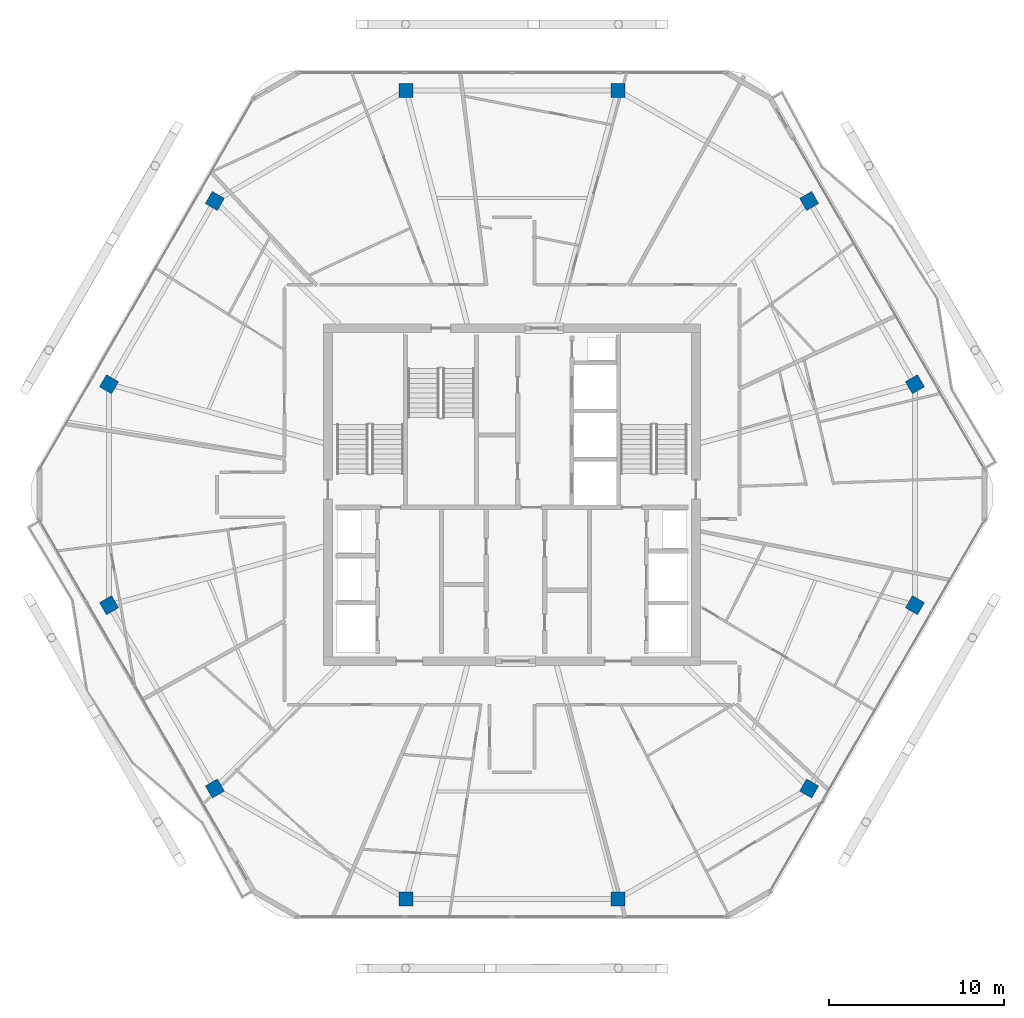
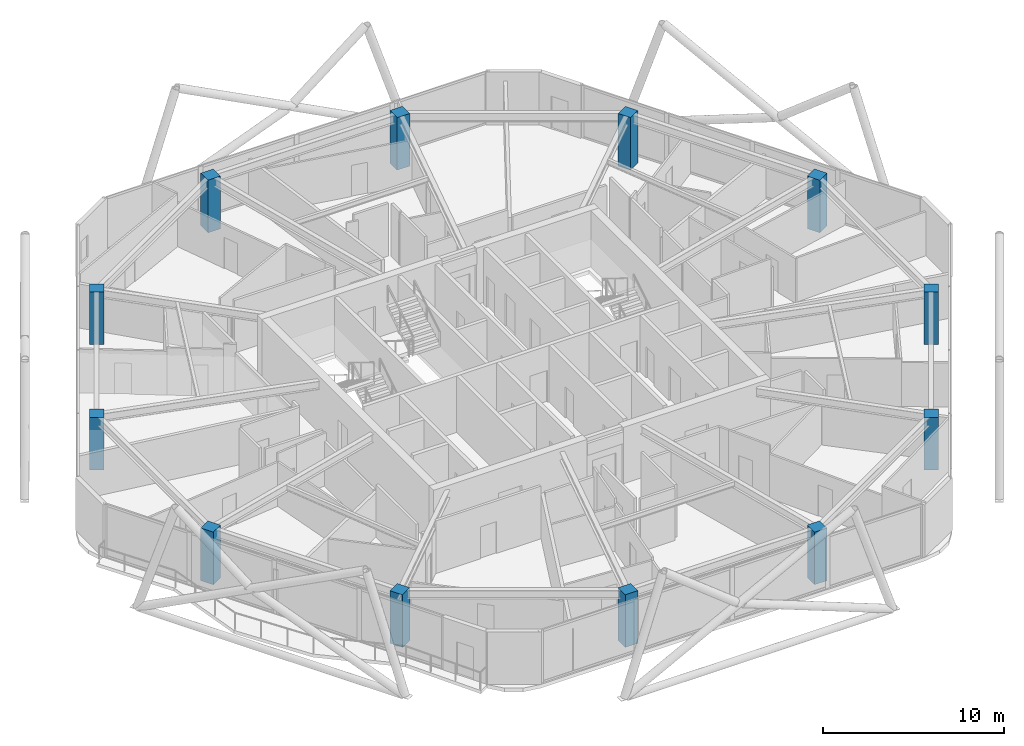
# One storey, part 1 of 23: 12 columns.
"""IFC4 building model written with IfcOpenShell, lengths in metres."""

from ifc_helpers import new_model, si_unit, direction, frame, origin, origin_2d, place, context, subcontext, project, spatial, rectangle, extrude, material, material_profile, profile_set, type_object, element, save


model = new_model("IFC4")

# Units and contexts
model_context = context("Model", 3, precision=1e-05, world=origin(), true_north=direction((0.0, 1.0)))
body_context = subcontext(model_context, "Body", "Model", "MODEL_VIEW")
ifc_project = project(units=[si_unit("LENGTHUNIT", "METRE"), si_unit("AREAUNIT", "SQUARE_METRE"), si_unit("VOLUMEUNIT", "CUBIC_METRE"), si_unit("PLANEANGLEUNIT", "RADIAN"), si_unit("MASSUNIT", "GRAM", prefix="KILO")], contexts=[model_context])

# Site, building, storey
site_placement = place(None, origin())
site = spatial("IfcSite", under=ifc_project, at=site_placement, CompositionType="ELEMENT")
building_placement = place(site_placement, origin())
building = spatial("IfcBuilding", under=site, at=building_placement, Name="Zuhravey Tower", CompositionType="ELEMENT")
storey_placement = place(building_placement, frame((0.0, 0.0, 331.0)))
storey = spatial("IfcBuildingStorey", under=building, at=storey_placement, Name="L84", CompositionType="ELEMENT", Elevation=331.0)

# Columns
ifc_material = material(Name="Concrete C50/60", Category="concrete")
ifc_material_profile = material_profile(ifc_material, rectangle(XDim=0.800048828125, YDim=0.800048828125, at=origin_2d()), Name="RC-800x800")
ifc_profile_set = profile_set([ifc_material_profile], Name="Concrete C50/60")
column_type = type_object("IfcColumnType", Name="Zone 4 Perimeter Column 800x800", PredefinedType="COLUMN", material=ifc_profile_set)
for number, where, z_axis, x_axis, name in (
    (1, (58.993408203125, 38.302490234375, 0.0), (0.0, 0.0, 1.0), (-0.5, 0.866025403784, 0.0), "L84 Perimeter Column PC01"),
    (2, (52.95458984375, 48.76171875, 0.0), (0.0, 0.0, 1.0), (-0.5, 0.866025403784, 0.0), "L84 Perimeter Column PC02"),
    (3, (42.038818359375, 55.064208984375, 0.0), (0.0, 0.0, 1.0), (-1.0, 0.0, 0.0), "L84 Perimeter Column PC03"),
    (4, (29.961181640625, 55.064208984375, 0.0), (0.0, 0.0, 1.0), (-1.0, 0.0, 0.0), "L84 Perimeter Column PC04"),
    (5, (19.04541015625, 48.76171875, 0.0), (0.0, 0.0, 1.0), (-0.5, -0.866025403784, 0.0), "L84 Perimeter Column PC05"),
    (6, (13.006591796875, 38.302490234375, 0.0), (0.0, 0.0, 1.0), (-0.5, -0.866025403784, 0.0), "L84 Perimeter Column PC06"),
    (7, (13.006591796875, 25.697509765625, 0.0), (0.0, 0.0, 1.0), (0.5, -0.866025403784, 0.0), "L84 Perimeter Column PC07"),
    (8, (19.04541015625, 15.23828125, 0.0), (0.0, 0.0, 1.0), (0.5, -0.866025403784, 0.0), "L84 Perimeter Column PC08"),
    (9, (29.961181640625, 8.935791015625, 0.0), (0.0, 0.0, 1.0), (1.0, 0.0, 0.0), "L84 Perimeter Column PC09"),
    (10, (42.038818359375, 8.935791015625, 0.0), (0.0, 0.0, 1.0), (1.0, 0.0, 0.0), "L84 Perimeter Column PC10"),
    (11, (52.95458984375, 15.23828125, 0.0), (0.0, 0.0, 1.0), (0.5, 0.866025403784, 0.0), "L84 Perimeter Column PC11"),
    (12, (58.993408203125, 25.697509765625, 0.0), (0.0, 0.0, 1.0), (0.5, 0.866025403784, 0.0), "L84 Perimeter Column PC12"),
):
    element("IfcColumn", number, at=place(storey_placement, frame(where, z_axis=z_axis, x_axis=x_axis)), inside=storey, type_object=column_type, Name=name, PredefinedType="COLUMN", context=body_context, shape_type="SweptSolid", body=[
        extrude(rectangle(XDim=0.800048828125, YDim=0.800048828125, at=origin_2d()), origin(), (0.0, 0.0, 1.0), 3.550048828125),
    ])

save(model, "model.ifc")
